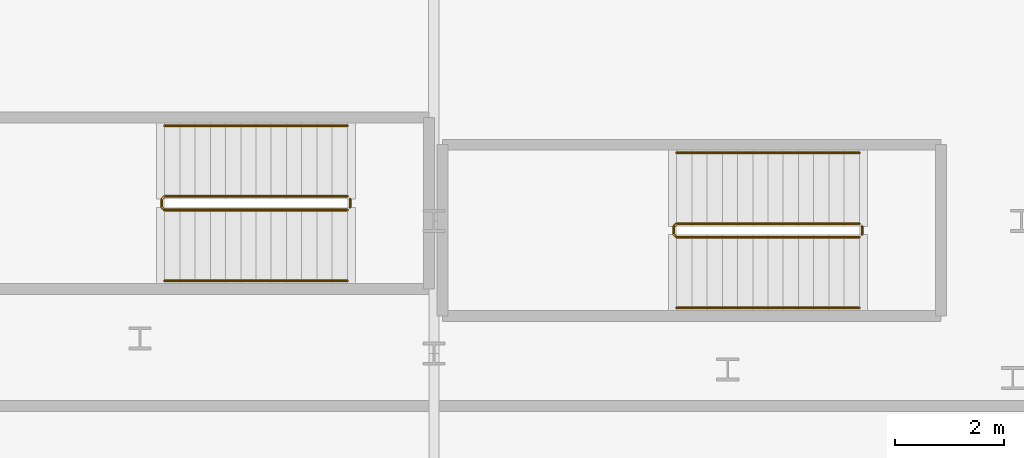
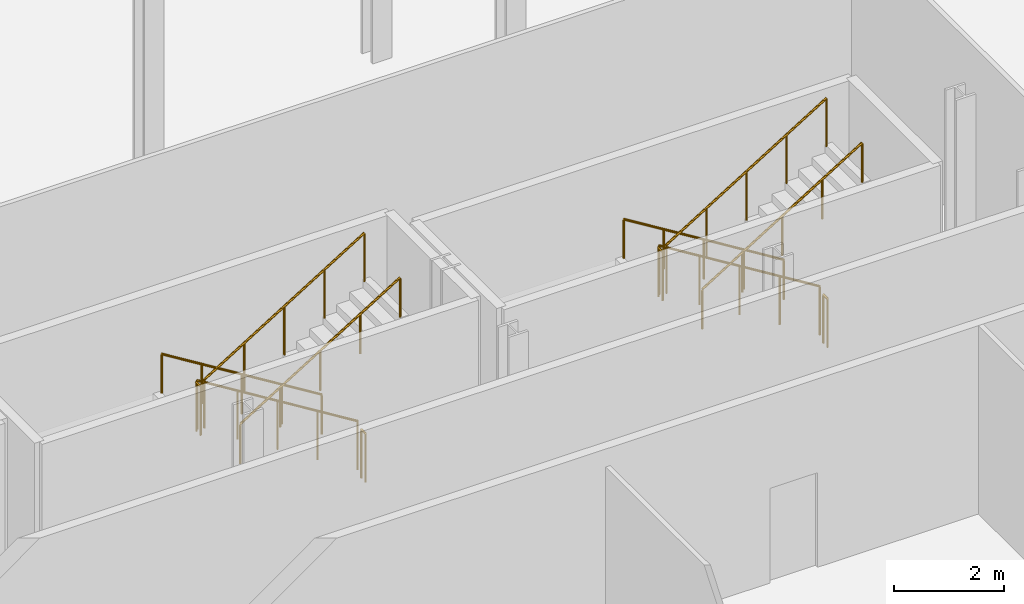
# One storey, part 41 of 47: 8 railings.
"""IFC4 building model written with IfcOpenShell, lengths in metres."""

from ifc_helpers import new_model, si_unit, direction, frame, origin, origin_2d, place, context, subcontext, project, spatial, circle, extrude, material, type_object, element, save


model = new_model("IFC4")

# Units and contexts
model_context = context("Model", 3, precision=1e-05, world=origin(), true_north=direction((0.0, 1.0)))
body_context = subcontext(model_context, "Body", "Model", "MODEL_VIEW")
ifc_project = project(units=[si_unit("LENGTHUNIT", "METRE"), si_unit("AREAUNIT", "SQUARE_METRE"), si_unit("VOLUMEUNIT", "CUBIC_METRE"), si_unit("PLANEANGLEUNIT", "RADIAN"), si_unit("MASSUNIT", "GRAM", prefix="KILO")], contexts=[model_context])

# Site, building, storey
site_placement = place(None, origin())
site = spatial("IfcSite", under=ifc_project, at=site_placement, CompositionType="ELEMENT")
building_placement = place(site_placement, origin())
building = spatial("IfcBuilding", under=site, at=building_placement, Name="Kheshtan School and Residences Tower", CompositionType="ELEMENT")
storey_placement = place(building_placement, frame((0.0, 0.0, 21.5)))
storey = spatial("IfcBuildingStorey", under=building, at=storey_placement, Name="L04", CompositionType="ELEMENT", Elevation=21.5)

# Railings
ifc_material_1 = material(Name="Stainless steel balustrade", Category="steel")
railing_type_1 = type_object("IfcRailingType", Name="Stair guard 1100", PredefinedType="GUARDRAIL", material=ifc_material_1)
railing_1_placement = place(storey_placement, frame((87.820068359375, 23.949951171875, 0.173095703125)))
element("IfcRailing", 1, at=railing_1_placement, inside=storey, type_object=railing_type_1, Name="L04 ST4 stair guard 1", PredefinedType="GUARDRAIL", context=body_context, shape_type="SweptSolid", body=[
    extrude(circle(Radius=0.02392578125, at=origin_2d()), frame((0.0, 0.0, 1.076171875), z_axis=(-0.850623216509, 0.0, 0.525775754039), x_axis=(0.0, -1.0, 0.0)), (0.0, 0.0, 1.0), 3.9501953125),
    extrude(circle(Radius=0.02392578125, at=origin_2d()), frame((-3.360107421875, 0.0, 3.15283203125), z_axis=(-0.707106781187, -0.707106781187, 0.0), x_axis=(0.707106781187, -0.707106781187, 0.0)), (0.0, 0.0, 1.0), 0.07080078125),
    extrude(circle(Radius=0.02392578125, at=origin_2d()), frame((-3.41015625, -0.050048828125, 3.15283203125), z_axis=(0.0, -1.0, 0.0), x_axis=(1.0, 0.0, 0.0)), (0.0, 0.0, 1.0), 0.14990234375),
    extrude(circle(Radius=0.02392578125, at=origin_2d()), frame((-3.41015625, -0.199951171875, 3.15283203125), z_axis=(0.267629722418, -0.267629722418, 0.925607186314), x_axis=(0.707106781187, 0.707106781187, 0.0)), (0.0, 0.0, 1.0), 0.18701171875),
    extrude(circle(Radius=0.02392578125, at=origin_2d()), frame((-3.360107421875, -0.25, 3.326171875), z_axis=(0.850623216509, 0.0, 0.525775754039), x_axis=(0.0, 1.0, 0.0)), (0.0, 0.0, 1.0), 3.9501953125),
    extrude(circle(Radius=0.02099609375, at=origin_2d()), origin(), (0.0, 0.0, 1.0), 1.052001953125),
    extrude(circle(Radius=0.02099609375, at=origin_2d()), frame((-0.840087890625, 0.0, 0.519287109375)), (0.0, 0.0, 1.0), 1.052001953125),
    extrude(circle(Radius=0.02099609375, at=origin_2d()), frame((-1.68017578125, 0.0, 1.03857421875)), (0.0, 0.0, 1.0), 1.052001953125),
    extrude(circle(Radius=0.02099609375, at=origin_2d()), frame((-2.52001953125, 0.0, 1.5576171875)), (0.0, 0.0, 1.0), 1.052001953125),
    extrude(circle(Radius=0.02099609375, at=origin_2d()), frame((-3.360107421875, 0.0, 2.076904296875)), (0.0, 0.0, 1.0), 1.052001953125),
    extrude(circle(Radius=0.02099609375, at=origin_2d()), frame((-3.41015625, -0.050048828125, 2.076904296875)), (0.0, 0.0, 1.0), 1.052001953125),
    extrude(circle(Radius=0.02099609375, at=origin_2d()), frame((-3.41015625, -0.199951171875, 2.076904296875)), (0.0, 0.0, 1.0), 1.052001953125),
    extrude(circle(Radius=0.02099609375, at=origin_2d()), frame((-3.360107421875, -0.25, 2.25)), (0.0, 0.0, 1.0), 1.052001953125),
    extrude(circle(Radius=0.02099609375, at=origin_2d()), frame((-2.52001953125, -0.25, 2.769287109375)), (0.0, 0.0, 1.0), 1.052001953125),
    extrude(circle(Radius=0.02099609375, at=origin_2d()), frame((-1.68017578125, -0.25, 3.28857421875)), (0.0, 0.0, 1.0), 1.052001953125),
    extrude(circle(Radius=0.02099609375, at=origin_2d()), frame((-0.840087890625, -0.25, 3.8076171875)), (0.0, 0.0, 1.0), 1.052001953125),
    extrude(circle(Radius=0.02099609375, at=origin_2d()), frame((0.0, -0.25, 4.326904296875)), (0.0, 0.0, 1.0), 1.052001953125),
])
railing_2_placement = place(storey_placement, frame((87.8701171875, 23.89990234375, 0.0)))
element("IfcRailing", 2, at=railing_2_placement, inside=storey, type_object=railing_type_1, Name="L04 ST4 stair guard 2", PredefinedType="GUARDRAIL", context=body_context, shape_type="SweptSolid", body=[
    extrude(circle(Radius=0.02392578125, at=origin_2d()), frame((0.0, 0.0, 1.076171875), z_axis=(0.0, -1.0, 0.0), x_axis=(1.0, 0.0, 0.0)), (0.0, 0.0, 1.0), 0.14990234375),
    extrude(circle(Radius=0.02099609375, at=origin_2d()), origin(), (0.0, 0.0, 1.0), 1.052001953125),
    extrude(circle(Radius=0.02099609375, at=origin_2d()), frame((0.0, -0.14990234375, 0.0)), (0.0, 0.0, 1.0), 1.052001953125),
])
railing_3_placement = place(storey_placement, frame((78.409912109375, 24.449951171875, 0.173095703125)))
element("IfcRailing", 3, at=railing_3_placement, inside=storey, type_object=railing_type_1, Name="L04 ST5 stair guard 1", PredefinedType="GUARDRAIL", context=body_context, shape_type="SweptSolid", body=[
    extrude(circle(Radius=0.02392578125, at=origin_2d()), frame((0.0, 0.0, 1.076171875), z_axis=(-0.850606129759, 0.0, 0.525803396734), x_axis=(0.0, -1.0, 0.0)), (0.0, 0.0, 1.0), 3.949951171875),
    extrude(circle(Radius=0.02392578125, at=origin_2d()), frame((-3.35986328125, 0.0, 3.15283203125), z_axis=(-0.707106781187, -0.707106781187, 0.0), x_axis=(0.707106781187, -0.707106781187, 0.0)), (0.0, 0.0, 1.0), 0.07080078125),
    extrude(circle(Radius=0.02392578125, at=origin_2d()), frame((-3.409912109375, -0.050048828125, 3.15283203125), z_axis=(0.0, -1.0, 0.0), x_axis=(1.0, 0.0, 0.0)), (0.0, 0.0, 1.0), 0.14990234375),
    extrude(circle(Radius=0.02392578125, at=origin_2d()), frame((-3.409912109375, -0.199951171875, 3.15283203125), z_axis=(0.267629722418, -0.267629722418, 0.925607186314), x_axis=(0.707106781187, 0.707106781187, 0.0)), (0.0, 0.0, 1.0), 0.18701171875),
    extrude(circle(Radius=0.02392578125, at=origin_2d()), frame((-3.35986328125, -0.25, 3.326171875), z_axis=(0.850606129759, 0.0, 0.525803396734), x_axis=(0.0, 1.0, 0.0)), (0.0, 0.0, 1.0), 3.949951171875),
    extrude(circle(Radius=0.02099609375, at=origin_2d()), origin(), (0.0, 0.0, 1.0), 1.052001953125),
    extrude(circle(Radius=0.02099609375, at=origin_2d()), frame((-0.83984375, 0.0, 0.519287109375)), (0.0, 0.0, 1.0), 1.052001953125),
    extrude(circle(Radius=0.02099609375, at=origin_2d()), frame((-1.679931640625, 0.0, 1.03857421875)), (0.0, 0.0, 1.0), 1.052001953125),
    extrude(circle(Radius=0.02099609375, at=origin_2d()), frame((-2.52001953125, 0.0, 1.5576171875)), (0.0, 0.0, 1.0), 1.052001953125),
    extrude(circle(Radius=0.02099609375, at=origin_2d()), frame((-3.35986328125, 0.0, 2.076904296875)), (0.0, 0.0, 1.0), 1.052001953125),
    extrude(circle(Radius=0.02099609375, at=origin_2d()), frame((-3.409912109375, -0.050048828125, 2.076904296875)), (0.0, 0.0, 1.0), 1.052001953125),
    extrude(circle(Radius=0.02099609375, at=origin_2d()), frame((-3.409912109375, -0.199951171875, 2.076904296875)), (0.0, 0.0, 1.0), 1.052001953125),
    extrude(circle(Radius=0.02099609375, at=origin_2d()), frame((-3.35986328125, -0.25, 2.25)), (0.0, 0.0, 1.0), 1.052001953125),
    extrude(circle(Radius=0.02099609375, at=origin_2d()), frame((-2.52001953125, -0.25, 2.769287109375)), (0.0, 0.0, 1.0), 1.052001953125),
    extrude(circle(Radius=0.02099609375, at=origin_2d()), frame((-1.679931640625, -0.25, 3.28857421875)), (0.0, 0.0, 1.0), 1.052001953125),
    extrude(circle(Radius=0.02099609375, at=origin_2d()), frame((-0.83984375, -0.25, 3.8076171875)), (0.0, 0.0, 1.0), 1.052001953125),
    extrude(circle(Radius=0.02099609375, at=origin_2d()), frame((0.0, -0.25, 4.326904296875)), (0.0, 0.0, 1.0), 1.052001953125),
])
railing_4_placement = place(storey_placement, frame((78.4599609375, 24.39990234375, 0.0)))
element("IfcRailing", 4, at=railing_4_placement, inside=storey, type_object=railing_type_1, Name="L04 ST5 stair guard 2", PredefinedType="GUARDRAIL", context=body_context, shape_type="SweptSolid", body=[
    extrude(circle(Radius=0.02392578125, at=origin_2d()), frame((0.0, 0.0, 1.076171875), z_axis=(0.0, -1.0, 0.0), x_axis=(1.0, 0.0, 0.0)), (0.0, 0.0, 1.0), 0.14990234375),
    extrude(circle(Radius=0.02099609375, at=origin_2d()), origin(), (0.0, 0.0, 1.0), 1.052001953125),
    extrude(circle(Radius=0.02099609375, at=origin_2d()), frame((0.0, -0.14990234375, 0.0)), (0.0, 0.0, 1.0), 1.052001953125),
])
ifc_material_2 = material(Name="Stainless steel handrail", Category="steel")
railing_type_2 = type_object("IfcRailingType", Name="Stair handrail 900", PredefinedType="HANDRAIL", material=ifc_material_2)
railing_5_placement = place(storey_placement, frame((87.820068359375, 25.25, 0.173095703125)))
element("IfcRailing", 5, at=railing_5_placement, inside=storey, type_object=railing_type_2, Name="L04 ST4 stair handrail 1", PredefinedType="HANDRAIL", context=body_context, shape_type="SweptSolid", body=[
    extrude(circle(Radius=0.02392578125, at=origin_2d()), frame((0.0, 0.0, 0.8759765625), z_axis=(-0.850623216509, 0.0, 0.525775754039), x_axis=(0.0, -1.0, 0.0)), (0.0, 0.0, 1.0), 3.9501953125),
    extrude(circle(Radius=0.02099609375, at=origin_2d()), origin(), (0.0, 0.0, 1.0), 0.851806640625),
    extrude(circle(Radius=0.02099609375, at=origin_2d()), frame((-0.840087890625, 0.0, 0.519287109375)), (0.0, 0.0, 1.0), 0.851806640625),
    extrude(circle(Radius=0.02099609375, at=origin_2d()), frame((-1.68017578125, 0.0, 1.03857421875)), (0.0, 0.0, 1.0), 0.851806640625),
    extrude(circle(Radius=0.02099609375, at=origin_2d()), frame((-2.52001953125, 0.0, 1.5576171875)), (0.0, 0.0, 1.0), 0.851806640625),
    extrude(circle(Radius=0.02099609375, at=origin_2d()), frame((-3.360107421875, 0.0, 2.076904296875)), (0.0, 0.0, 1.0), 0.851806640625),
])
railing_6_placement = place(storey_placement, frame((84.4599609375, 22.39990234375, 2.423095703125)))
element("IfcRailing", 6, at=railing_6_placement, inside=storey, type_object=railing_type_2, Name="L04 ST4 stair handrail 2", PredefinedType="HANDRAIL", context=body_context, shape_type="SweptSolid", body=[
    extrude(circle(Radius=0.02392578125, at=origin_2d()), frame((0.0, 0.0, 0.8759765625), z_axis=(0.850623216509, 0.0, 0.525775754039), x_axis=(0.0, 1.0, 0.0)), (0.0, 0.0, 1.0), 3.9501953125),
    extrude(circle(Radius=0.02099609375, at=origin_2d()), origin(), (0.0, 0.0, 1.0), 0.851806640625),
    extrude(circle(Radius=0.02099609375, at=origin_2d()), frame((0.840087890625, 0.0, 0.519287109375)), (0.0, 0.0, 1.0), 0.851806640625),
    extrude(circle(Radius=0.02099609375, at=origin_2d()), frame((1.68017578125, 0.0, 1.03857421875)), (0.0, 0.0, 1.0), 0.851806640625),
    extrude(circle(Radius=0.02099609375, at=origin_2d()), frame((2.52001953125, 0.0, 1.5576171875)), (0.0, 0.0, 1.0), 0.851806640625),
    extrude(circle(Radius=0.02099609375, at=origin_2d()), frame((3.360107421875, 0.0, 2.076904296875)), (0.0, 0.0, 1.0), 0.851806640625),
])
railing_7_placement = place(storey_placement, frame((78.409912109375, 25.75, 0.173095703125)))
element("IfcRailing", 7, at=railing_7_placement, inside=storey, type_object=railing_type_2, Name="L04 ST5 stair handrail 1", PredefinedType="HANDRAIL", context=body_context, shape_type="SweptSolid", body=[
    extrude(circle(Radius=0.02392578125, at=origin_2d()), frame((0.0, 0.0, 0.8759765625), z_axis=(-0.850606129759, 0.0, 0.525803396734), x_axis=(0.0, -1.0, 0.0)), (0.0, 0.0, 1.0), 3.949951171875),
    extrude(circle(Radius=0.02099609375, at=origin_2d()), origin(), (0.0, 0.0, 1.0), 0.851806640625),
    extrude(circle(Radius=0.02099609375, at=origin_2d()), frame((-0.83984375, 0.0, 0.519287109375)), (0.0, 0.0, 1.0), 0.851806640625),
    extrude(circle(Radius=0.02099609375, at=origin_2d()), frame((-1.679931640625, 0.0, 1.03857421875)), (0.0, 0.0, 1.0), 0.851806640625),
    extrude(circle(Radius=0.02099609375, at=origin_2d()), frame((-2.52001953125, 0.0, 1.5576171875)), (0.0, 0.0, 1.0), 0.851806640625),
    extrude(circle(Radius=0.02099609375, at=origin_2d()), frame((-3.35986328125, 0.0, 2.076904296875)), (0.0, 0.0, 1.0), 0.851806640625),
])
railing_8_placement = place(storey_placement, frame((75.050048828125, 22.89990234375, 2.423095703125)))
element("IfcRailing", 8, at=railing_8_placement, inside=storey, type_object=railing_type_2, Name="L04 ST5 stair handrail 2", PredefinedType="HANDRAIL", context=body_context, shape_type="SweptSolid", body=[
    extrude(circle(Radius=0.02392578125, at=origin_2d()), frame((0.0, 0.0, 0.8759765625), z_axis=(0.850606129759, 0.0, 0.525803396734), x_axis=(0.0, 1.0, 0.0)), (0.0, 0.0, 1.0), 3.949951171875),
    extrude(circle(Radius=0.02099609375, at=origin_2d()), origin(), (0.0, 0.0, 1.0), 0.851806640625),
    extrude(circle(Radius=0.02099609375, at=origin_2d()), frame((0.83984375, 0.0, 0.519287109375)), (0.0, 0.0, 1.0), 0.851806640625),
    extrude(circle(Radius=0.02099609375, at=origin_2d()), frame((1.679931640625, 0.0, 1.03857421875)), (0.0, 0.0, 1.0), 0.851806640625),
    extrude(circle(Radius=0.02099609375, at=origin_2d()), frame((2.52001953125, 0.0, 1.5576171875)), (0.0, 0.0, 1.0), 0.851806640625),
    extrude(circle(Radius=0.02099609375, at=origin_2d()), frame((3.35986328125, 0.0, 2.076904296875)), (0.0, 0.0, 1.0), 0.851806640625),
])

save(model, "model.ifc")
